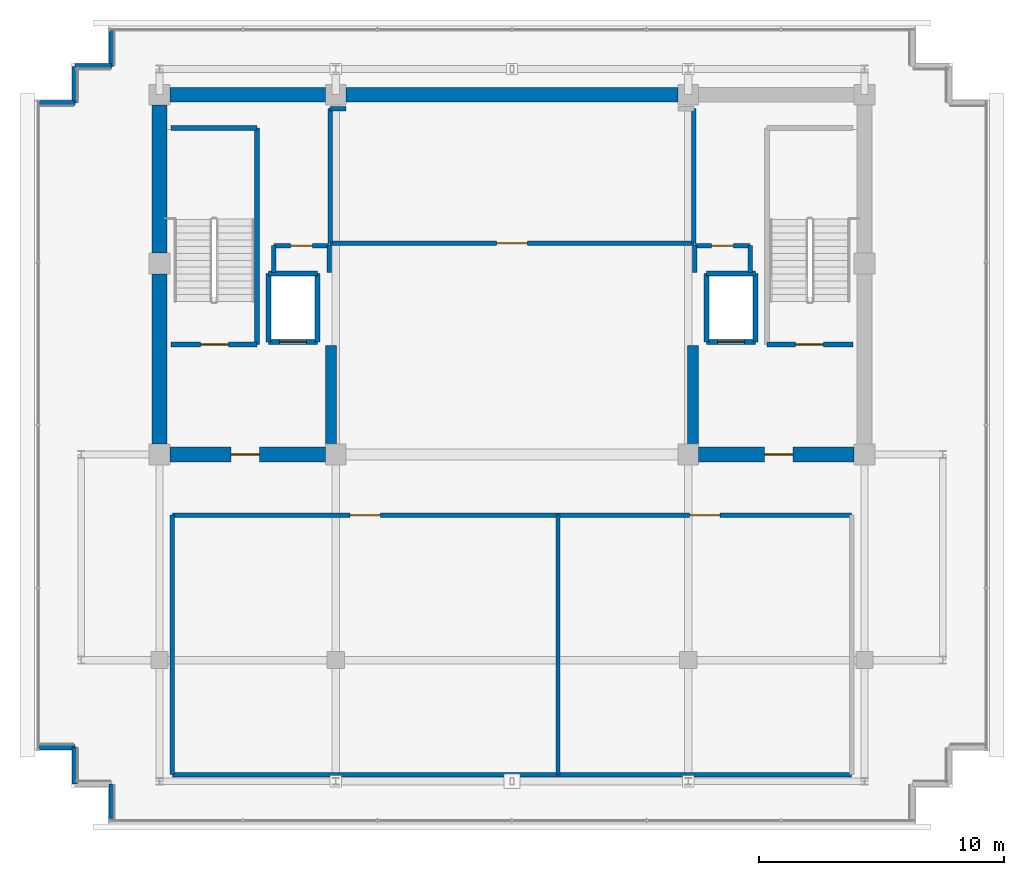
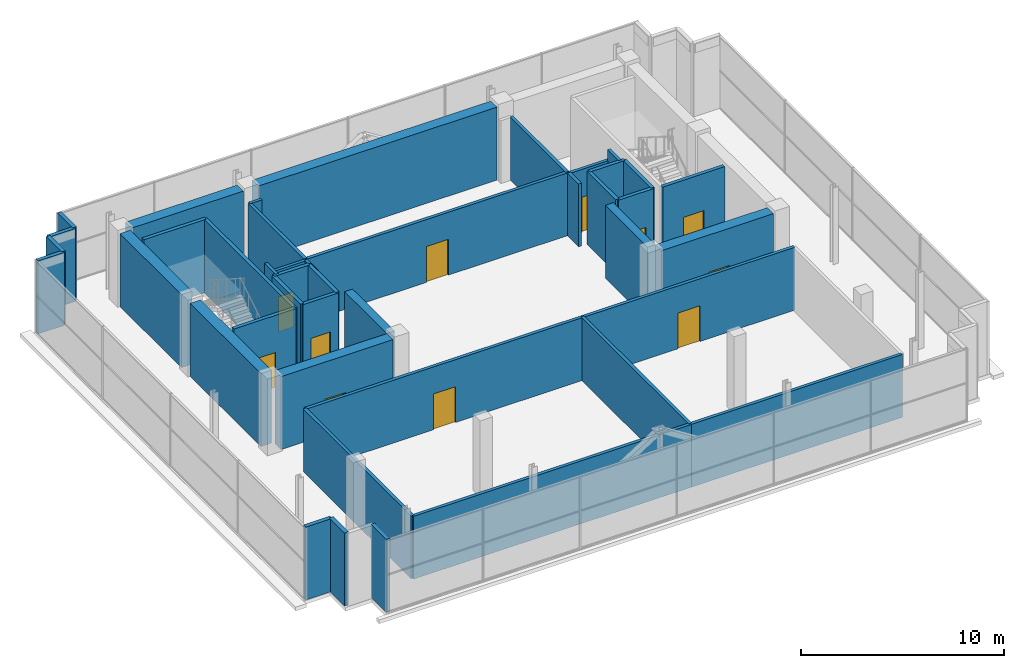
# One storey, part 23 of 26: 43 walls, 11 doors, 11 openings.
"""IFC4 building model written with IfcOpenShell, lengths in metres."""

from ifc_helpers import new_model, si_unit, direction, frame, frame_2d, origin, place, context, subcontext, project, spatial, rectangle, extrude, source, transform, mapped, material, layer, layer_set, type_object, element, fill, save


model = new_model("IFC4")

# Units and contexts
model_context = context("Model", 3, precision=1e-05, world=origin(), true_north=direction((0.0, 1.0)))
body_context = subcontext(model_context, "Body", "Model", "MODEL_VIEW")
ifc_project = project(units=[si_unit("LENGTHUNIT", "METRE"), si_unit("AREAUNIT", "SQUARE_METRE"), si_unit("VOLUMEUNIT", "CUBIC_METRE"), si_unit("PLANEANGLEUNIT", "RADIAN"), si_unit("MASSUNIT", "GRAM", prefix="KILO")], contexts=[model_context])

# Site, building, storey
site_placement = place(None, origin())
site = spatial("IfcSite", under=ifc_project, at=site_placement, CompositionType="ELEMENT")
building_placement = place(site_placement, origin())
building = spatial("IfcBuilding", under=site, at=building_placement, Name="Zarnakvel Exchange Tower", CompositionType="ELEMENT")
storey_placement = place(building_placement, frame((0.0, 0.0, 280.800048828125)))
storey = spatial("IfcBuildingStorey", under=building, at=storey_placement, Name="Crown L79", CompositionType="ELEMENT", Elevation=280.800048828125)

# Walls
ifc_material_1 = material(Name="Concrete C50/60", Category="concrete")
ifc_layer_1 = layer(ifc_material_1, 0.60009765625)
ifc_layer_set_1 = layer_set([ifc_layer_1], Name="Concrete C50/60")
wall_type_1 = type_object("IfcWallType", Name="CW-C5", PredefinedType="SHEAR", material=ifc_layer_set_1)
wall_1_placement = place(storey_placement, frame((-13.97509765625, 13.5, 0.0), z_axis=(0.0, 0.0, 1.0), x_axis=(1.0, 0.0, 0.0)))
element("IfcWall", 1, at=wall_1_placement, inside=storey, type_object=wall_type_1, Name="Crown L79 Rear Core Shear Wall N1 (CW-C5)", PredefinedType="SHEAR", context=body_context, shape_type="SweptSolid", body=[
    extrude(rectangle(XDim=6.35009765625, YDim=0.60009765625, at=frame_2d((3.175048828125, 0.0))), origin(), (0.0, 0.0, 1.0), 4.3798828125),
])
wall_2_placement = place(storey_placement, frame((-6.77490234375, 13.5, 0.0), z_axis=(0.0, 0.0, 1.0), x_axis=(1.0, 0.0, 0.0)))
element("IfcWall", 2, at=wall_2_placement, inside=storey, type_object=wall_type_1, Name="Crown L79 Rear Core Shear Wall N2 (CW-C5)", PredefinedType="SHEAR", context=body_context, shape_type="SweptSolid", body=[
    extrude(rectangle(XDim=13.5498046875, YDim=0.60009765625, at=frame_2d((6.77490234375, 0.0))), origin(), (0.0, 0.0, 1.0), 4.3798828125),
])
wall_3_placement = place(storey_placement, frame((-14.39990234375, -0.77490234375, 0.0), z_axis=(0.0, 0.0, 1.0), x_axis=(0.0, 1.0, 0.0)))
element("IfcWall", 3, at=wall_3_placement, inside=storey, type_object=wall_type_1, Name="Crown L79 Rear Core Shear Wall W1 (CW-C5)", PredefinedType="SHEAR", context=body_context, shape_type="SweptSolid", body=[
    extrude(rectangle(XDim=6.949951171875, YDim=0.60009765625, at=frame_2d((3.47509765625, 0.0))), origin(), (0.0, 0.0, 1.0), 4.3798828125),
])
wall_4_placement = place(storey_placement, frame((-14.39990234375, 7.02490234375, 0.0), z_axis=(0.0, 0.0, 1.0), x_axis=(0.0, 1.0, 0.0)))
element("IfcWall", 4, at=wall_4_placement, inside=storey, type_object=wall_type_1, Name="Crown L79 Rear Core Shear Wall W2 (CW-C5)", PredefinedType="SHEAR", context=body_context, shape_type="SweptSolid", body=[
    extrude(rectangle(XDim=6.050048828125, YDim=0.60009765625, at=frame_2d((3.02490234375, 0.0))), origin(), (0.0, 0.0, 1.0), 4.3798828125),
])

# Wall, opening, door
wall_5_placement = place(storey_placement, frame((-7.625, -1.199951171875, 0.0), z_axis=(0.0, 0.0, 1.0), x_axis=(-1.0, 0.0, 0.0)))
wall_5 = element("IfcWall", 5, at=wall_5_placement, inside=storey, type_object=wall_type_1, Name="Crown L79 Rear Core Shear Wall SW (CW-C5)", PredefinedType="SHEAR", context=body_context, shape_type="SweptSolid", body=[
    extrude(rectangle(XDim=6.35009765625, YDim=0.60009765625, at=frame_2d((3.175048828125, 0.0))), origin(), (0.0, 0.0, 1.0), 4.3798828125),
])
opening_1_placement = place(wall_5_placement, frame((2.699951171875, 0.0, 0.0)))
opening_1 = element("IfcOpeningElement", 6, at=opening_1_placement, cuts=wall_5, Name="Opening D-Crown L79-03", PredefinedType="OPENING", context=body_context, shape_type="SweptSolid", body=[
    extrude(rectangle(XDim=1.14990234375, YDim=2.14990234375, at=frame_2d((0.574951171875, 1.074951171875))), frame((0.0, 0.31005859375, 0.0), z_axis=(0.0, -1.0, 0.0), x_axis=(1.0, 0.0, 0.0)), (0.0, 0.0, 1.0), 0.6201171875),
])
ifc_material_2 = material(Name="Painted Galvanised Steel S355", Category="steel")
door_type_1 = type_object("IfcDoorType", Name="DT-04", OperationType="NOTDEFINED", PredefinedType="DOOR", material=ifc_material_2)
shared_shape_1 = source(origin(), body_context, "Body", "SweptSolid", [
    extrude(rectangle(XDim=1.14990234375, YDim=2.14990234375, at=frame_2d((0.574951171875, 1.074951171875))), frame((0.0, 0.02490234375, 0.0), z_axis=(0.0, -1.0, 0.0), x_axis=(1.0, 0.0, 0.0)), (0.0, 0.0, 1.0), 0.050048828125),
])
door_1_placement = place(opening_1_placement, origin())
door_1 = element("IfcDoor", 7, at=door_1_placement, inside=storey, type_object=door_type_1, Name="Crown L79 Firefighting Lobby West Door D-Crown L79-03", OperationType="SINGLE_SWING_LEFT", OverallHeight=2.14990234375, OverallWidth=1.14990234375, PredefinedType="DOOR", context=body_context, shape_type="MappedRepresentation", body=[
    mapped(shared_shape_1, transform((0.0, 0.0, 0.0), x_axis=(1.0, 0.0, 0.0), y_axis=(0.0, 1.0, 0.0), z_axis=(0.0, 0.0, 1.0), scale=1.0)),
])
fill(opening_1, door_1)

wall_6_placement = place(storey_placement, frame((13.97509765625, -1.199951171875, 0.0), z_axis=(0.0, 0.0, 1.0), x_axis=(-1.0, 0.0, 0.0)))
wall_6 = element("IfcWall", 8, at=wall_6_placement, inside=storey, type_object=wall_type_1, Name="Crown L79 Rear Core Shear Wall SE (CW-C5)", PredefinedType="SHEAR", context=body_context, shape_type="SweptSolid", body=[
    extrude(rectangle(XDim=6.35009765625, YDim=0.60009765625, at=frame_2d((3.175048828125, 0.0))), origin(), (0.0, 0.0, 1.0), 4.3798828125),
])
opening_2_placement = place(wall_6_placement, frame((2.5, 0.0, 0.0)))
opening_2 = element("IfcOpeningElement", 9, at=opening_2_placement, cuts=wall_6, Name="Opening D-Crown L79-04", PredefinedType="OPENING", context=body_context, shape_type="SweptSolid", body=[
    extrude(rectangle(XDim=1.14990234375, YDim=2.14990234375, at=frame_2d((0.574951171875, 1.074951171875))), frame((0.0, 0.31005859375, 0.0), z_axis=(0.0, -1.0, 0.0), x_axis=(1.0, 0.0, 0.0)), (0.0, 0.0, 1.0), 0.6201171875),
])
door_2_placement = place(opening_2_placement, origin())
door_2 = element("IfcDoor", 10, at=door_2_placement, inside=storey, type_object=door_type_1, Name="Crown L79 Firefighting Lobby East Door D-Crown L79-04", OperationType="SINGLE_SWING_RIGHT", OverallHeight=2.14990234375, OverallWidth=1.14990234375, PredefinedType="DOOR", context=body_context, shape_type="MappedRepresentation", body=[
    mapped(shared_shape_1, transform((0.0, 0.0, 0.0), x_axis=(1.0, 0.0, 0.0), y_axis=(0.0, 1.0, 0.0), z_axis=(0.0, 0.0, 1.0), scale=1.0)),
])
fill(opening_2, door_2)

# Walls
ifc_layer_2 = layer(ifc_material_1, 0.449951171875)
ifc_layer_set_2 = layer_set([ifc_layer_2], Name="Concrete C50/60")
wall_type_2 = type_object("IfcWallType", Name="CW-C6", PredefinedType="SHEAR", material=ifc_layer_set_2)
for number, where, z_axis, x_axis, name in (
    (11, (-7.39990234375, -0.89990234375, 0.0), (0.0, 0.0, 1.0), (0.0, 1.0, 0.0), "Crown L79 Rear Core Shear Wall IW (CW-C6)"),
    (12, (7.39990234375, -0.89990234375, 0.0), (0.0, 0.0, 1.0), (0.0, 1.0, 0.0), "Crown L79 Rear Core Shear Wall IE (CW-C6)"),
):
    element("IfcWall", number, at=place(storey_placement, frame(where, z_axis=z_axis, x_axis=x_axis)), inside=storey, type_object=wall_type_2, Name=name, PredefinedType="SHEAR", context=body_context, shape_type="SweptSolid", body=[
        extrude(rectangle(XDim=4.14990234375, YDim=0.449951171875, at=frame_2d((2.074951171875, 0.0))), origin(), (0.0, 0.0, 1.0), 4.3798828125),
    ])
ifc_material_3 = material(Name="Precast concrete C40/50", Category="concrete")
ifc_layer_3 = layer(ifc_material_3, 0.219970703125)
ifc_layer_set_3 = layer_set([ifc_layer_3], Name="Precast concrete C40/50")
wall_type_3 = type_object("IfcWallType", Name="EW-03", PredefinedType="SOLIDWALL", material=ifc_layer_set_3)
for number, where, z_axis, x_axis, name in (
    (13, (-17.860107421875, 13.159912109375, 0.0), (0.0, 0.0, 1.0), (-1.0, 0.0, 0.0), "Crown L79 Exterior Precast Spandrel Wall EW-Crown L79-C02 (EW-03)"),
    (14, (-17.860107421875, 14.659912109375, 0.0), (0.0, 0.0, 1.0), (0.0, -1.0, 0.0), "Crown L79 Exterior Precast Spandrel Wall EW-Crown L79-C03 (EW-03)"),
    (15, (-16.360107421875, 14.659912109375, 0.0), (0.0, 0.0, 1.0), (-1.0, 0.0, 0.0), "Crown L79 Exterior Precast Spandrel Wall EW-Crown L79-C04 (EW-03)"),
    (16, (-16.360107421875, 16.159912109375, 0.0), (0.0, 0.0, 1.0), (0.0, -1.0, 0.0), "Crown L79 Exterior Precast Spandrel Wall EW-Crown L79-C05 (EW-03)"),
    (17, (-16.360107421875, -14.659912109375, 0.0), (0.0, 0.0, 1.0), (0.0, -1.0, 0.0), "Crown L79 Exterior Precast Spandrel Wall EW-Crown L79-C17 (EW-03)"),
    (18, (-17.860107421875, -13.159912109375, 0.0), (0.0, 0.0, 1.0), (0.0, -1.0, 0.0), "Crown L79 Exterior Precast Spandrel Wall EW-Crown L79-C19 (EW-03)"),
    (19, (-19.360107421875, -13.159912109375, 0.0), (0.0, 0.0, 1.0), (1.0, 0.0, 0.0), "Crown L79 Exterior Precast Spandrel Wall EW-Crown L79-C20 (EW-03)"),
):
    element("IfcWall", number, at=place(storey_placement, frame(where, z_axis=z_axis, x_axis=x_axis)), inside=storey, type_object=wall_type_3, Name=name, PredefinedType="SOLIDWALL", context=body_context, shape_type="SweptSolid", body=[
        extrude(rectangle(XDim=1.5, YDim=0.219970703125, at=frame_2d((0.75, 0.0))), origin(), (0.0, 0.0, 1.0), 4.3798828125),
    ])

# Wall, opening, door
ifc_material_4 = material(Name="Fire-Rated Gypsum Stud Partition", Category="gypsum")
ifc_layer_4 = layer(ifc_material_4, 0.179931640625)
ifc_layer_set_4 = layer_set([ifc_layer_4], Name="Fire-Rated Gypsum Stud Partition")
wall_type_4 = type_object("IfcWallType", Name="PT-02", PredefinedType="PARTITIONING", material=ifc_layer_set_4)
wall_7_placement = place(storey_placement, frame((7.429931640625, 7.429931640625, 0.0), z_axis=(0.0, 0.0, 1.0), x_axis=(-1.0, 0.0, 0.0)))
wall_7 = element("IfcWall", 20, at=wall_7_placement, inside=storey, type_object=wall_type_4, Name="Crown L79 Partition Wall PWALL-Crown L79-007 (PT-02)", PredefinedType="PARTITIONING", context=body_context, shape_type="SweptSolid", body=[
    extrude(rectangle(XDim=14.85986328125, YDim=0.179931640625, at=frame_2d((7.429931640625, 0.0))), origin(), (0.0, 0.0, 1.0), 3.77001953125),
])
opening_3_placement = place(wall_7_placement, frame((6.804931640625, 0.0, 0.0)))
opening_3 = element("IfcOpeningElement", 21, at=opening_3_placement, cuts=wall_7, Name="Opening D-Crown L79-05", PredefinedType="OPENING", context=body_context, shape_type="SweptSolid", body=[
    extrude(rectangle(XDim=1.25, YDim=2.14990234375, at=frame_2d((0.625, 1.074951171875))), frame((0.0, 0.099853515625, 0.0), z_axis=(0.0, -1.0, 0.0), x_axis=(1.0, 0.0, 0.0)), (0.0, 0.0, 1.0), 0.199951171875),
])
door_type_2 = type_object("IfcDoorType", Name="DT-06", OperationType="NOTDEFINED", PredefinedType="DOOR", material=ifc_material_2)
shared_shape_2 = source(origin(), body_context, "Body", "SweptSolid", [
    extrude(rectangle(XDim=1.25, YDim=2.14990234375, at=frame_2d((0.625, 1.074951171875))), frame((0.0, 0.02490234375, 0.0), z_axis=(0.0, -1.0, 0.0), x_axis=(1.0, 0.0, 0.0)), (0.0, 0.0, 1.0), 0.050048828125),
])
door_3_placement = place(opening_3_placement, origin())
door_3 = element("IfcDoor", 22, at=door_3_placement, inside=storey, type_object=door_type_2, Name="Crown L79 High-Rise Lift Machine Room Door D-Crown L79-05", OperationType="SINGLE_SWING_LEFT", OverallHeight=2.14990234375, OverallWidth=1.25, PredefinedType="DOOR", context=body_context, shape_type="MappedRepresentation", body=[
    mapped(shared_shape_2, transform((0.0, 0.0, 0.0), x_axis=(1.0, 0.0, 0.0), y_axis=(0.0, 1.0, 0.0), z_axis=(0.0, 0.0, 1.0), scale=1.0)),
])
fill(opening_3, door_3)

# Walls
wall_8_placement = place(storey_placement, frame((-7.429931640625, 12.929931640625, 0.0), z_axis=(0.0, 0.0, 1.0), x_axis=(1.0, 0.0, 0.0)))
element("IfcWall", 23, at=wall_8_placement, inside=storey, type_object=wall_type_4, Name="Crown L79 Partition Wall PWALL-Crown L79-008 (PT-02)", PredefinedType="PARTITIONING", context=body_context, shape_type="SweptSolid", body=[
    extrude(rectangle(XDim=0.655029296875, YDim=0.179931640625, at=frame_2d((0.32763671875, 0.0))), origin(), (0.0, 0.0, 1.0), 3.77001953125),
])
for number, where, z_axis, x_axis, name in (
    (24, (-7.429931640625, 7.429931640625, 0.0), (0.0, 0.0, 1.0), (0.0, 1.0, 0.0), "Crown L79 Partition Wall PWALL-Crown L79-010 (PT-02)"),
    (25, (7.429931640625, 12.929931640625, 0.0), (0.0, 0.0, 1.0), (0.0, -1.0, 0.0), "Crown L79 Partition Wall PWALL-Crown L79-011 (PT-02)"),
):
    element("IfcWall", number, at=place(storey_placement, frame(where, z_axis=z_axis, x_axis=x_axis)), inside=storey, type_object=wall_type_4, Name=name, PredefinedType="PARTITIONING", context=body_context, shape_type="SweptSolid", body=[
        extrude(rectangle(XDim=5.5, YDim=0.179931640625, at=frame_2d((2.75, 0.0))), origin(), (0.0, 0.0, 1.0), 3.77001953125),
    ])

# Wall, opening, door
wall_9_placement = place(storey_placement, frame((-9.72998046875, 7.330078125, 0.0), z_axis=(0.0, 0.0, 1.0), x_axis=(1.0, 0.0, 0.0)))
wall_9 = element("IfcWall", 26, at=wall_9_placement, inside=storey, type_object=wall_type_4, Name="Crown L79 Partition Wall PWALL-Crown L79-012 (PT-02)", PredefinedType="PARTITIONING", context=body_context, shape_type="SweptSolid", body=[
    extrude(rectangle(XDim=2.260009765625, YDim=0.179931640625, at=frame_2d((1.1298828125, 0.0))), origin(), (0.0, 0.0, 1.0), 3.77001953125),
])
opening_4_placement = place(wall_9_placement, frame((0.68994140625, 0.0, 0.0)))
opening_4 = element("IfcOpeningElement", 27, at=opening_4_placement, cuts=wall_9, Name="Opening D-Crown L79-08", PredefinedType="OPENING", context=body_context, shape_type="SweptSolid", body=[
    extrude(rectangle(XDim=0.8798828125, YDim=2.10009765625, at=frame_2d((0.43994140625, 1.050048828125))), frame((0.0, 0.099853515625, 0.0), z_axis=(0.0, -1.0, 0.0), x_axis=(1.0, 0.0, 0.0)), (0.0, 0.0, 1.0), 0.199951171875),
])
door_type_3 = type_object("IfcDoorType", Name="DT-08", OperationType="NOTDEFINED", PredefinedType="DOOR", material=ifc_material_2)
shared_shape_3 = source(origin(), body_context, "Body", "SweptSolid", [
    extrude(rectangle(XDim=0.8798828125, YDim=2.10009765625, at=frame_2d((0.43994140625, 1.050048828125))), frame((0.0, 0.02490234375, 0.0), z_axis=(0.0, -1.0, 0.0), x_axis=(1.0, 0.0, 0.0)), (0.0, 0.0, 1.0), 0.050048828125),
])
door_4_placement = place(opening_4_placement, origin())
door_4 = element("IfcDoor", 28, at=door_4_placement, inside=storey, type_object=door_type_3, Name="Crown L79 Electrical Riser Door D-Crown L79-08", OperationType="SINGLE_SWING_RIGHT", OverallHeight=2.10009765625, OverallWidth=0.8798828125, PredefinedType="DOOR", context=body_context, shape_type="MappedRepresentation", body=[
    mapped(shared_shape_3, transform((0.0, 0.0, 0.0), x_axis=(1.0, 0.0, 0.0), y_axis=(0.0, 1.0, 0.0), z_axis=(0.0, 0.0, 1.0), scale=1.0)),
])
fill(opening_4, door_4)

# Walls
wall_10_placement = place(storey_placement, frame((-9.72998046875, 6.239990234375, 0.0), z_axis=(0.0, 0.0, 1.0), x_axis=(0.0, 1.0, 0.0)))
element("IfcWall", 29, at=wall_10_placement, inside=storey, type_object=wall_type_4, Name="Crown L79 Partition Wall PWALL-Crown L79-013 (PT-02)", PredefinedType="PARTITIONING", context=body_context, shape_type="SweptSolid", body=[
    extrude(rectangle(XDim=1.090087890625, YDim=0.179931640625, at=frame_2d((0.544921875, 0.0))), origin(), (0.0, 0.0, 1.0), 4.3798828125),
])
wall_11_placement = place(storey_placement, frame((-7.469970703125, 7.330078125, 0.0), z_axis=(0.0, 0.0, 1.0), x_axis=(0.0, -1.0, 0.0)))
element("IfcWall", 30, at=wall_11_placement, inside=storey, type_object=wall_type_4, Name="Crown L79 Partition Wall PWALL-Crown L79-014 (PT-02)", PredefinedType="PARTITIONING", context=body_context, shape_type="SweptSolid", body=[
    extrude(rectangle(XDim=1.090087890625, YDim=0.179931640625, at=frame_2d((0.544921875, 0.0))), origin(), (0.0, 0.0, 1.0), 3.77001953125),
])

# Wall, opening, door
wall_12_placement = place(storey_placement, frame((7.469970703125, 7.330078125, 0.0), z_axis=(0.0, 0.0, 1.0), x_axis=(1.0, 0.0, 0.0)))
wall_12 = element("IfcWall", 31, at=wall_12_placement, inside=storey, type_object=wall_type_4, Name="Crown L79 Partition Wall PWALL-Crown L79-015 (PT-02)", PredefinedType="PARTITIONING", context=body_context, shape_type="SweptSolid", body=[
    extrude(rectangle(XDim=2.260009765625, YDim=0.179931640625, at=frame_2d((1.1298828125, 0.0))), origin(), (0.0, 0.0, 1.0), 3.77001953125),
])
opening_5_placement = place(wall_12_placement, frame((0.68994140625, 0.0, 0.0)))
opening_5 = element("IfcOpeningElement", 32, at=opening_5_placement, cuts=wall_12, Name="Opening D-Crown L79-09", PredefinedType="OPENING", context=body_context, shape_type="SweptSolid", body=[
    extrude(rectangle(XDim=0.8798828125, YDim=2.10009765625, at=frame_2d((0.43994140625, 1.050048828125))), frame((0.0, 0.099853515625, 0.0), z_axis=(0.0, -1.0, 0.0), x_axis=(1.0, 0.0, 0.0)), (0.0, 0.0, 1.0), 0.199951171875),
])
door_5_placement = place(opening_5_placement, origin())
door_5 = element("IfcDoor", 33, at=door_5_placement, inside=storey, type_object=door_type_3, Name="Crown L79 Telecom Riser Door D-Crown L79-09", OperationType="SINGLE_SWING_LEFT", OverallHeight=2.10009765625, OverallWidth=0.8798828125, PredefinedType="DOOR", context=body_context, shape_type="MappedRepresentation", body=[
    mapped(shared_shape_3, transform((0.0, 0.0, 0.0), x_axis=(1.0, 0.0, 0.0), y_axis=(0.0, 1.0, 0.0), z_axis=(0.0, 0.0, 1.0), scale=1.0)),
])
fill(opening_5, door_5)

# Walls
wall_13_placement = place(storey_placement, frame((7.469970703125, 6.239990234375, 0.0), z_axis=(0.0, 0.0, 1.0), x_axis=(0.0, 1.0, 0.0)))
element("IfcWall", 34, at=wall_13_placement, inside=storey, type_object=wall_type_4, Name="Crown L79 Partition Wall PWALL-Crown L79-016 (PT-02)", PredefinedType="PARTITIONING", context=body_context, shape_type="SweptSolid", body=[
    extrude(rectangle(XDim=1.090087890625, YDim=0.179931640625, at=frame_2d((0.544921875, 0.0))), origin(), (0.0, 0.0, 1.0), 3.77001953125),
])
wall_14_placement = place(storey_placement, frame((9.72998046875, 7.330078125, 0.0), z_axis=(0.0, 0.0, 1.0), x_axis=(0.0, -1.0, 0.0)))
element("IfcWall", 35, at=wall_14_placement, inside=storey, type_object=wall_type_4, Name="Crown L79 Partition Wall PWALL-Crown L79-017 (PT-02)", PredefinedType="PARTITIONING", context=body_context, shape_type="SweptSolid", body=[
    extrude(rectangle(XDim=1.090087890625, YDim=0.179931640625, at=frame_2d((0.544921875, 0.0))), origin(), (0.0, 0.0, 1.0), 4.3798828125),
])
wall_15_placement = place(storey_placement, frame((1.8798828125, -14.280029296875, 0.0), z_axis=(0.0, 0.0, 1.0), x_axis=(-1.0, 0.0, 0.0)))
element("IfcWall", 36, at=wall_15_placement, inside=storey, type_object=wall_type_4, Name="Crown L79 Partition Wall PWALL-Crown L79-018 (PT-02)", PredefinedType="PARTITIONING", context=body_context, shape_type="SweptSolid", body=[
    extrude(rectangle(XDim=15.759765625, YDim=0.179931640625, at=frame_2d((7.8798828125, 0.0))), origin(), (0.0, 0.0, 1.0), 3.77001953125),
])

# Wall, opening, door
wall_16_placement = place(storey_placement, frame((-13.8798828125, -3.679931640625, 0.0), z_axis=(0.0, 0.0, 1.0), x_axis=(1.0, 0.0, 0.0)))
wall_16 = element("IfcWall", 37, at=wall_16_placement, inside=storey, type_object=wall_type_4, Name="Crown L79 Partition Wall PWALL-Crown L79-019 (PT-02)", PredefinedType="PARTITIONING", context=body_context, shape_type="SweptSolid", body=[
    extrude(rectangle(XDim=15.759765625, YDim=0.179931640625, at=frame_2d((7.8798828125, 0.0))), origin(), (0.0, 0.0, 1.0), 3.77001953125),
])
opening_6_placement = place(wall_16_placement, frame((7.2548828125, 0.0, 0.0)))
opening_6 = element("IfcOpeningElement", 38, at=opening_6_placement, cuts=wall_16, Name="Opening D-Crown L79-06", PredefinedType="OPENING", context=body_context, shape_type="SweptSolid", body=[
    extrude(rectangle(XDim=1.25, YDim=2.14990234375, at=frame_2d((0.625, 1.074951171875))), frame((0.0, 0.099853515625, 0.0), z_axis=(0.0, -1.0, 0.0), x_axis=(1.0, 0.0, 0.0)), (0.0, 0.0, 1.0), 0.199951171875),
])
door_6_placement = place(opening_6_placement, origin())
door_6 = element("IfcDoor", 39, at=door_6_placement, inside=storey, type_object=door_type_2, Name="Crown L79 Heat Recovery Pump Plant Room Door D-Crown L79-06", OperationType="SINGLE_SWING_RIGHT", OverallHeight=2.14990234375, OverallWidth=1.25, PredefinedType="DOOR", context=body_context, shape_type="MappedRepresentation", body=[
    mapped(shared_shape_2, transform((0.0, 0.0, 0.0), x_axis=(1.0, 0.0, 0.0), y_axis=(0.0, 1.0, 0.0), z_axis=(0.0, 0.0, 1.0), scale=1.0)),
])
fill(opening_6, door_6)

# Walls
for number, where, z_axis, x_axis, name in (
    (40, (-13.8798828125, -14.280029296875, 0.0), (0.0, 0.0, 1.0), (0.0, 1.0, 0.0), "Crown L79 Partition Wall PWALL-Crown L79-020 (PT-02)"),
    (41, (1.8798828125, -3.679931640625, 0.0), (0.0, 0.0, 1.0), (0.0, -1.0, 0.0), "Crown L79 Partition Wall PWALL-Crown L79-021 (PT-02)"),
):
    element("IfcWall", number, at=place(storey_placement, frame(where, z_axis=z_axis, x_axis=x_axis)), inside=storey, type_object=wall_type_4, Name=name, PredefinedType="PARTITIONING", context=body_context, shape_type="SweptSolid", body=[
        extrude(rectangle(XDim=10.60009765625, YDim=0.179931640625, at=frame_2d((5.300048828125, 0.0))), origin(), (0.0, 0.0, 1.0), 3.77001953125),
    ])
wall_17_placement = place(storey_placement, frame((13.8798828125, -14.280029296875, 0.0), z_axis=(0.0, 0.0, 1.0), x_axis=(-1.0, 0.0, 0.0)))
element("IfcWall", 42, at=wall_17_placement, inside=storey, type_object=wall_type_4, Name="Crown L79 Partition Wall PWALL-Crown L79-022 (PT-02)", PredefinedType="PARTITIONING", context=body_context, shape_type="SweptSolid", body=[
    extrude(rectangle(XDim=12.0, YDim=0.179931640625, at=frame_2d((6.0, 0.0))), origin(), (0.0, 0.0, 1.0), 3.77001953125),
])

# Wall, opening, door
wall_18_placement = place(storey_placement, frame((1.8798828125, -3.679931640625, 0.0), z_axis=(0.0, 0.0, 1.0), x_axis=(1.0, 0.0, 0.0)))
wall_18 = element("IfcWall", 43, at=wall_18_placement, inside=storey, type_object=wall_type_4, Name="Crown L79 Partition Wall PWALL-Crown L79-023 (PT-02)", PredefinedType="PARTITIONING", context=body_context, shape_type="SweptSolid", body=[
    extrude(rectangle(XDim=12.0, YDim=0.179931640625, at=frame_2d((6.0, 0.0))), origin(), (0.0, 0.0, 1.0), 3.77001953125),
])
opening_7_placement = place(wall_18_placement, frame((5.375, 0.0, 0.0)))
opening_7 = element("IfcOpeningElement", 44, at=opening_7_placement, cuts=wall_18, Name="Opening D-Crown L79-07", PredefinedType="OPENING", context=body_context, shape_type="SweptSolid", body=[
    extrude(rectangle(XDim=1.25, YDim=2.14990234375, at=frame_2d((0.625, 1.074951171875))), frame((0.0, 0.099853515625, 0.0), z_axis=(0.0, -1.0, 0.0), x_axis=(1.0, 0.0, 0.0)), (0.0, 0.0, 1.0), 0.199951171875),
])
door_7_placement = place(opening_7_placement, origin())
door_7 = element("IfcDoor", 45, at=door_7_placement, inside=storey, type_object=door_type_2, Name="Crown L79 Condensate Recovery Treatment Plant Door D-Crown L79-07", OperationType="SINGLE_SWING_LEFT", OverallHeight=2.14990234375, OverallWidth=1.25, PredefinedType="DOOR", context=body_context, shape_type="MappedRepresentation", body=[
    mapped(shared_shape_2, transform((0.0, 0.0, 0.0), x_axis=(1.0, 0.0, 0.0), y_axis=(0.0, 1.0, 0.0), z_axis=(0.0, 0.0, 1.0), scale=1.0)),
])
fill(opening_7, door_7)

ifc_material_5 = material(Name="Concrete C40/50", Category="concrete")
ifc_layer_5 = layer(ifc_material_5, 0.199951171875)
ifc_layer_set_5 = layer_set([ifc_layer_5], Name="Concrete C40/50")
wall_type_5 = type_object("IfcWallType", Name="SW-01", PredefinedType="SOLIDWALL", material=ifc_layer_set_5)
wall_19_placement = place(storey_placement, frame((-7.949951171875, 3.39990234375, 0.0), z_axis=(0.0, 0.0, 1.0), x_axis=(-1.0, 0.0, 0.0)))
wall_19 = element("IfcWall", 46, at=wall_19_placement, inside=storey, type_object=wall_type_5, Name="Crown L79 FL-01 Hoistway Wall South", PredefinedType="SOLIDWALL", context=body_context, shape_type="SweptSolid", body=[
    extrude(rectangle(XDim=2.0, YDim=0.199951171875, at=frame_2d((1.0, 0.0))), origin(), (0.0, 0.0, 1.0), 4.3798828125),
])
opening_8_placement = place(wall_19_placement, frame((0.449951171875, 0.0, 0.0)))
opening_8 = element("IfcOpeningElement", 47, at=opening_8_placement, cuts=wall_19, Name="Opening LD-FL-01-Crown L79", PredefinedType="OPENING", context=body_context, shape_type="SweptSolid", body=[
    extrude(rectangle(XDim=1.10009765625, YDim=2.199951171875, at=frame_2d((0.550048828125, 1.10009765625))), frame((0.0, 0.10986328125, 0.0), z_axis=(0.0, -1.0, 0.0), x_axis=(1.0, 0.0, 0.0)), (0.0, 0.0, 1.0), 0.219970703125),
])
ifc_material_6 = material(Name="Brushed Stainless Steel", Category="steel")
door_type_4 = type_object("IfcDoorType", Name="LDT-01", OperationType="NOTDEFINED", PredefinedType="DOOR", material=ifc_material_6)
shared_shape_4 = source(origin(), body_context, "Body", "SweptSolid", [
    extrude(rectangle(XDim=1.10009765625, YDim=2.199951171875, at=frame_2d((0.550048828125, 1.10009765625))), frame((0.0, 0.02490234375, 0.0), z_axis=(0.0, -1.0, 0.0), x_axis=(1.0, 0.0, 0.0)), (0.0, 0.0, 1.0), 0.050048828125),
])
door_8_placement = place(opening_8_placement, origin())
door_8 = element("IfcDoor", 48, at=door_8_placement, inside=storey, type_object=door_type_4, Name="Crown L79 FL-01 Lift Landing Door LD-FL-01-Crown L79", OperationType="DOUBLE_DOOR_SLIDING", OverallHeight=2.199951171875, OverallWidth=1.10009765625, PredefinedType="DOOR", context=body_context, shape_type="MappedRepresentation", body=[
    mapped(shared_shape_4, transform((0.0, 0.0, 0.0), x_axis=(1.0, 0.0, 0.0), y_axis=(0.0, 1.0, 0.0), z_axis=(0.0, 0.0, 1.0), scale=1.0)),
])
fill(opening_8, door_8)

# Walls
wall_20_placement = place(storey_placement, frame((-9.949951171875, 6.199951171875, 0.0), z_axis=(0.0, 0.0, 1.0), x_axis=(1.0, 0.0, 0.0)))
element("IfcWall", 49, at=wall_20_placement, inside=storey, type_object=wall_type_5, Name="Crown L79 FL-01 Hoistway Wall North", PredefinedType="SOLIDWALL", context=body_context, shape_type="SweptSolid", body=[
    extrude(rectangle(XDim=2.0, YDim=0.199951171875, at=frame_2d((1.0, 0.0))), origin(), (0.0, 0.0, 1.0), 4.3798828125),
])
for number, where, z_axis, x_axis, name in (
    (50, (-9.949951171875, 3.39990234375, 0.0), (0.0, 0.0, 1.0), (0.0, 1.0, 0.0), "Crown L79 FL-01 Hoistway Wall West"),
    (51, (-7.949951171875, 6.199951171875, 0.0), (0.0, 0.0, 1.0), (0.0, -1.0, 0.0), "Crown L79 FL-01 Hoistway Wall East"),
):
    element("IfcWall", number, at=place(storey_placement, frame(where, z_axis=z_axis, x_axis=x_axis)), inside=storey, type_object=wall_type_5, Name=name, PredefinedType="SOLIDWALL", context=body_context, shape_type="SweptSolid", body=[
        extrude(rectangle(XDim=2.800048828125, YDim=0.199951171875, at=frame_2d((1.39990234375, 0.0))), origin(), (0.0, 0.0, 1.0), 4.3798828125),
    ])

# Wall, opening, door
wall_21_placement = place(storey_placement, frame((9.949951171875, 3.39990234375, 0.0), z_axis=(0.0, 0.0, 1.0), x_axis=(-1.0, 0.0, 0.0)))
wall_21 = element("IfcWall", 52, at=wall_21_placement, inside=storey, type_object=wall_type_5, Name="Crown L79 FL-02 Hoistway Wall South", PredefinedType="SOLIDWALL", context=body_context, shape_type="SweptSolid", body=[
    extrude(rectangle(XDim=2.0, YDim=0.199951171875, at=frame_2d((1.0, 0.0))), origin(), (0.0, 0.0, 1.0), 4.3798828125),
])
opening_9_placement = place(wall_21_placement, frame((0.449951171875, 0.0, 0.0)))
opening_9 = element("IfcOpeningElement", 53, at=opening_9_placement, cuts=wall_21, Name="Opening LD-FL-02-Crown L79", PredefinedType="OPENING", context=body_context, shape_type="SweptSolid", body=[
    extrude(rectangle(XDim=1.10009765625, YDim=2.199951171875, at=frame_2d((0.550048828125, 1.10009765625))), frame((0.0, 0.10986328125, 0.0), z_axis=(0.0, -1.0, 0.0), x_axis=(1.0, 0.0, 0.0)), (0.0, 0.0, 1.0), 0.219970703125),
])
door_9_placement = place(opening_9_placement, origin())
door_9 = element("IfcDoor", 54, at=door_9_placement, inside=storey, type_object=door_type_4, Name="Crown L79 FL-02 Lift Landing Door LD-FL-02-Crown L79", OperationType="DOUBLE_DOOR_SLIDING", OverallHeight=2.199951171875, OverallWidth=1.10009765625, PredefinedType="DOOR", context=body_context, shape_type="MappedRepresentation", body=[
    mapped(shared_shape_4, transform((0.0, 0.0, 0.0), x_axis=(1.0, 0.0, 0.0), y_axis=(0.0, 1.0, 0.0), z_axis=(0.0, 0.0, 1.0), scale=1.0)),
])
fill(opening_9, door_9)

# Walls
wall_22_placement = place(storey_placement, frame((7.949951171875, 6.199951171875, 0.0), z_axis=(0.0, 0.0, 1.0), x_axis=(1.0, 0.0, 0.0)))
element("IfcWall", 55, at=wall_22_placement, inside=storey, type_object=wall_type_5, Name="Crown L79 FL-02 Hoistway Wall North", PredefinedType="SOLIDWALL", context=body_context, shape_type="SweptSolid", body=[
    extrude(rectangle(XDim=2.0, YDim=0.199951171875, at=frame_2d((1.0, 0.0))), origin(), (0.0, 0.0, 1.0), 4.3798828125),
])
for number, where, z_axis, x_axis, name in (
    (56, (7.949951171875, 3.39990234375, 0.0), (0.0, 0.0, 1.0), (0.0, 1.0, 0.0), "Crown L79 FL-02 Hoistway Wall West"),
    (57, (9.949951171875, 6.199951171875, 0.0), (0.0, 0.0, 1.0), (0.0, -1.0, 0.0), "Crown L79 FL-02 Hoistway Wall East"),
):
    element("IfcWall", number, at=place(storey_placement, frame(where, z_axis=z_axis, x_axis=x_axis)), inside=storey, type_object=wall_type_5, Name=name, PredefinedType="SOLIDWALL", context=body_context, shape_type="SweptSolid", body=[
        extrude(rectangle(XDim=2.800048828125, YDim=0.199951171875, at=frame_2d((1.39990234375, 0.0))), origin(), (0.0, 0.0, 1.0), 4.3798828125),
    ])

# Wall, opening, door
ifc_layer_6 = layer(ifc_material_5, 0.199951171875)
ifc_layer_set_6 = layer_set([ifc_layer_6], Name="Concrete C40/50")
wall_type_6 = type_object("IfcWallType", Name="SW-02", PredefinedType="SOLIDWALL", material=ifc_layer_set_6)
wall_23_placement = place(storey_placement, frame((-10.409912109375, 3.2900390625, 0.0), z_axis=(0.0, 0.0, 1.0), x_axis=(-1.0, 0.0, 0.0)))
wall_23 = element("IfcWall", 58, at=wall_23_placement, inside=storey, type_object=wall_type_6, Name="Crown L79 Stairwell Core Wall PWALL-Crown L79-001 (SW-02)", PredefinedType="SOLIDWALL", context=body_context, shape_type="SweptSolid", body=[
    extrude(rectangle(XDim=3.52001953125, YDim=0.199951171875, at=frame_2d((1.760009765625, 0.0))), origin(), (0.0, 0.0, 1.0), 4.3798828125),
])
opening_10_placement = place(wall_23_placement, frame((1.1650390625, 0.0, 0.0)))
opening_10 = element("IfcOpeningElement", 59, at=opening_10_placement, cuts=wall_23, Name="Opening D-Crown L79-01", PredefinedType="OPENING", context=body_context, shape_type="SweptSolid", body=[
    extrude(rectangle(XDim=1.14990234375, YDim=2.14990234375, at=frame_2d((0.574951171875, 1.074951171875))), frame((0.0, 0.10986328125, 0.0), z_axis=(0.0, -1.0, 0.0), x_axis=(1.0, 0.0, 0.0)), (0.0, 0.0, 1.0), 0.219970703125),
])
door_10_placement = place(opening_10_placement, origin())
door_10 = element("IfcDoor", 60, at=door_10_placement, inside=storey, type_object=door_type_1, Name="Crown L79 Stairwell ST-01 Door D-Crown L79-01", OperationType="SINGLE_SWING_LEFT", OverallHeight=2.14990234375, OverallWidth=1.14990234375, PredefinedType="DOOR", context=body_context, shape_type="MappedRepresentation", body=[
    mapped(shared_shape_1, transform((0.0, 0.0, 0.0), x_axis=(1.0, 0.0, 0.0), y_axis=(0.0, 1.0, 0.0), z_axis=(0.0, 0.0, 1.0), scale=1.0)),
])
fill(opening_10, door_10)

# Walls
wall_24_placement = place(storey_placement, frame((-13.929931640625, 12.1298828125, 0.0), z_axis=(0.0, 0.0, 1.0), x_axis=(1.0, 0.0, 0.0)))
element("IfcWall", 61, at=wall_24_placement, inside=storey, type_object=wall_type_6, Name="Crown L79 Stairwell Core Wall PWALL-Crown L79-002 (SW-02)", PredefinedType="SOLIDWALL", context=body_context, shape_type="SweptSolid", body=[
    extrude(rectangle(XDim=3.52001953125, YDim=0.199951171875, at=frame_2d((1.760009765625, 0.0))), origin(), (0.0, 0.0, 1.0), 4.3798828125),
])
wall_25_placement = place(storey_placement, frame((-10.409912109375, 12.1298828125, 0.0), z_axis=(0.0, 0.0, 1.0), x_axis=(0.0, -1.0, 0.0)))
element("IfcWall", 62, at=wall_25_placement, inside=storey, type_object=wall_type_6, Name="Crown L79 Stairwell Core Wall PWALL-Crown L79-003 (SW-02)", PredefinedType="SOLIDWALL", context=body_context, shape_type="SweptSolid", body=[
    extrude(rectangle(XDim=8.83984375, YDim=0.199951171875, at=frame_2d((4.419921875, 0.0))), origin(), (0.0, 0.0, 1.0), 4.3798828125),
])

# Wall, opening, door
wall_26_placement = place(storey_placement, frame((13.929931640625, 3.2900390625, 0.0), z_axis=(0.0, 0.0, 1.0), x_axis=(-1.0, 0.0, 0.0)))
wall_26 = element("IfcWall", 63, at=wall_26_placement, inside=storey, type_object=wall_type_6, Name="Crown L79 Stairwell Core Wall PWALL-Crown L79-004 (SW-02)", PredefinedType="SOLIDWALL", context=body_context, shape_type="SweptSolid", body=[
    extrude(rectangle(XDim=3.52001953125, YDim=0.199951171875, at=frame_2d((1.760009765625, 0.0))), origin(), (0.0, 0.0, 1.0), 4.3798828125),
])
opening_11_placement = place(wall_26_placement, frame((1.205078125, 0.0, 0.0)))
opening_11 = element("IfcOpeningElement", 64, at=opening_11_placement, cuts=wall_26, Name="Opening D-Crown L79-02", PredefinedType="OPENING", context=body_context, shape_type="SweptSolid", body=[
    extrude(rectangle(XDim=1.14990234375, YDim=2.14990234375, at=frame_2d((0.574951171875, 1.074951171875))), frame((0.0, 0.10986328125, 0.0), z_axis=(0.0, -1.0, 0.0), x_axis=(1.0, 0.0, 0.0)), (0.0, 0.0, 1.0), 0.219970703125),
])
door_11_placement = place(opening_11_placement, origin())
door_11 = element("IfcDoor", 65, at=door_11_placement, inside=storey, type_object=door_type_1, Name="Crown L79 Stairwell ST-02 Door D-Crown L79-02", OperationType="SINGLE_SWING_RIGHT", OverallHeight=2.14990234375, OverallWidth=1.14990234375, PredefinedType="DOOR", context=body_context, shape_type="MappedRepresentation", body=[
    mapped(shared_shape_1, transform((0.0, 0.0, 0.0), x_axis=(1.0, 0.0, 0.0), y_axis=(0.0, 1.0, 0.0), z_axis=(0.0, 0.0, 1.0), scale=1.0)),
])
fill(opening_11, door_11)

save(model, "model.ifc")
